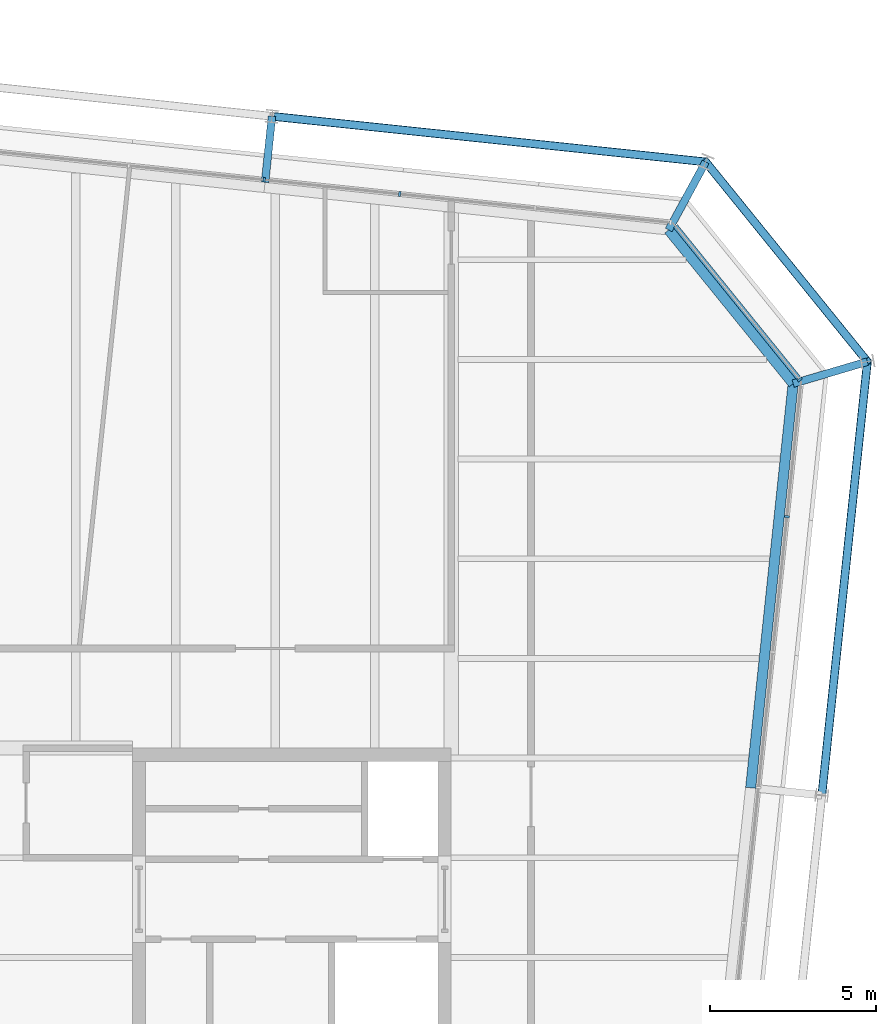
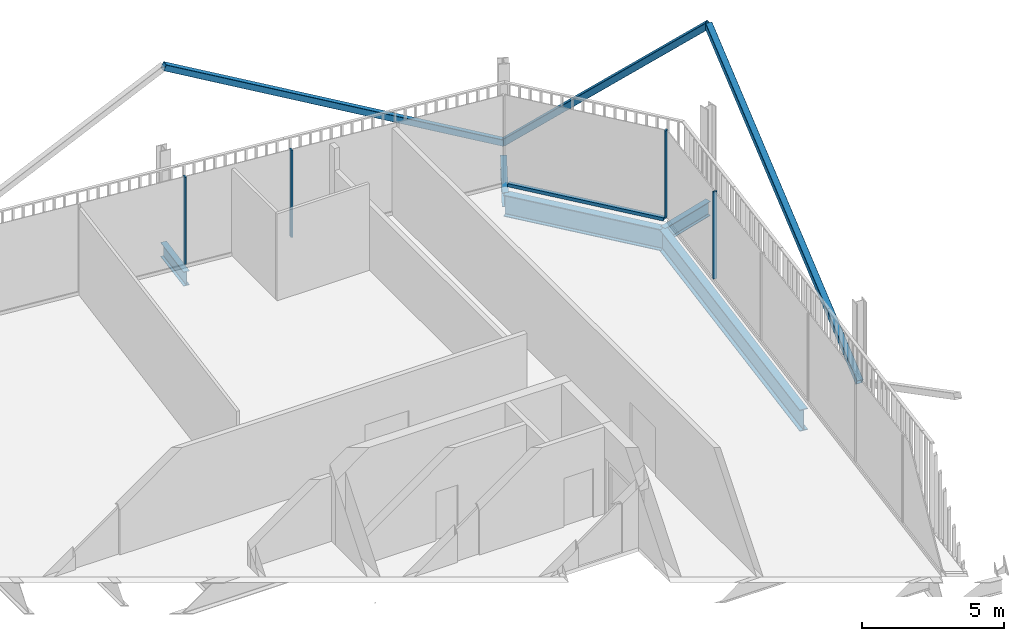
# One storey, part 15 of 21: 8 members, 5 beams, 3 elements without a shape of their own.
"""IFC4 building model written with IfcOpenShell, lengths in metres."""

from ifc_helpers import new_model, si_unit, direction, frame, origin, origin_2d, place, context, subcontext, project, spatial, rectangle, hollow_rectangle, i_section, extrude, material, layer, layer_set, material_profile, profile_set, type_object, element, aggregate, save


model = new_model("IFC4")

# Units and contexts
model_context = context("Model", 3, precision=1e-05, world=origin(), true_north=direction((0.0, 1.0)))
body_context = subcontext(model_context, "Body", "Model", "MODEL_VIEW")
ifc_project = project(units=[si_unit("LENGTHUNIT", "METRE"), si_unit("AREAUNIT", "SQUARE_METRE"), si_unit("VOLUMEUNIT", "CUBIC_METRE"), si_unit("PLANEANGLEUNIT", "RADIAN"), si_unit("MASSUNIT", "GRAM", prefix="KILO")], contexts=[model_context])

# Site, building, storey
site_placement = place(None, origin())
site = spatial("IfcSite", under=ifc_project, at=site_placement, CompositionType="ELEMENT")
building_placement = place(site_placement, origin())
building = spatial("IfcBuilding", under=site, at=building_placement, Name="Millrace Tower", CompositionType="ELEMENT")
storey_placement = place(building_placement, frame((0.0, 0.0, 299.39990234375)))
storey = spatial("IfcBuildingStorey", under=building, at=storey_placement, Name="L69", CompositionType="ELEMENT", Elevation=299.39990234375)

# Curtain wall, member
ifc_material_1 = material(Name="Aluminium and glass", Category="aluminium")
ifc_layer = layer(ifc_material_1, 0.14990234375)
ifc_layer_set = layer_set([ifc_layer], Name="Aluminium and glass")
curtain_wall_type = type_object("IfcCurtainWallType", Name="CW-1 office vision curtain wall", PredefinedType="NOTDEFINED", material=ifc_layer_set)
placement = place(storey_placement, origin())
curtain_wall_1 = element("IfcCurtainWall", 1, at=placement, inside=storey, type_object=curtain_wall_type, Name="Curtain wall E-F04 L69", PredefinedType="NOTDEFINED")
ifc_material_2 = material(Name="Aluminium", Category="aluminium")
ifc_material_profile_1 = material_profile(ifc_material_2, rectangle(XDim=0.06494140625, YDim=0.14990234375, at=origin_2d()))
ifc_profile_set_1 = profile_set([ifc_material_profile_1], Name="Aluminium")
member_type_1 = type_object("IfcMemberType", Name="CW-1 office vision curtain wall mullion", PredefinedType="MULLION", material=ifc_profile_set_1)
member_1_placement = place(storey_placement, frame((24.4033203125, 16.267822265625, 0.14013671875), z_axis=(0.0, 0.0, 1.0), x_axis=(0.104528455196, 0.994521896217, 0.0)))
member_1 = element("IfcMember", 2, at=member_1_placement, type_object=member_type_1, Name="CW1 mullion E-F04.9", PredefinedType="MULLION", context=body_context, shape_type="SweptSolid", body=[
    extrude(rectangle(XDim=0.06494140625, YDim=0.14990234375, at=origin_2d()), origin(), (0.0, 0.0, 1.0), 3.760009765625),
])
aggregate(curtain_wall_1, [member_1])

curtain_wall_2 = element("IfcCurtainWall", 3, at=placement, inside=storey, type_object=curtain_wall_type, Name="Curtain wall E-F05 L69", PredefinedType="NOTDEFINED")
member_2_placement = place(storey_placement, frame((24.791748046875, 20.393310546875, 0.14013671875), z_axis=(0.0, 0.0, 1.0), x_axis=(-0.629320278945, 0.777146052237, 0.0)))
member_2 = element("IfcMember", 4, at=member_2_placement, type_object=member_type_1, Name="CW1 mullion E-F05.1", PredefinedType="MULLION", context=body_context, shape_type="SweptSolid", body=[
    extrude(rectangle(XDim=0.06494140625, YDim=0.14990234375, at=origin_2d()), origin(), (0.0, 0.0, 1.0), 3.760009765625),
])

# Curtain wall, members
curtain_wall_3 = element("IfcCurtainWall", 5, at=placement, inside=storey, type_object=curtain_wall_type, Name="Curtain wall E-F06 L69", PredefinedType="NOTDEFINED")
member_3_placement = place(storey_placement, frame((12.747314453125, 25.98193359375, 0.14013671875), z_axis=(0.0, 0.0, 1.0), x_axis=(-0.994521896217, 0.104528455196, 0.0)))
member_3 = element("IfcMember", 6, at=member_3_placement, type_object=member_type_1, Name="CW1 mullion E-F06.3", PredefinedType="MULLION", context=body_context, shape_type="SweptSolid", body=[
    extrude(rectangle(XDim=0.06494140625, YDim=0.14990234375, at=origin_2d()), origin(), (0.0, 0.0, 1.0), 3.760009765625),
])
member_4_placement = place(storey_placement, frame((8.669921875, 26.410400390625, 0.14013671875), z_axis=(0.0, 0.0, 1.0), x_axis=(-0.994521896217, 0.104528455196, 0.0)))
member_4 = element("IfcMember", 7, at=member_4_placement, type_object=member_type_1, Name="CW1 mullion E-F06.4", PredefinedType="MULLION", context=body_context, shape_type="SweptSolid", body=[
    extrude(rectangle(XDim=0.06494140625, YDim=0.14990234375, at=origin_2d()), origin(), (0.0, 0.0, 1.0), 3.760009765625),
])
aggregate(curtain_wall_3, [member_3, member_4])

# Member
ifc_material_3 = material(Name="Aluminium", Category="aluminium")
ifc_material_profile_2 = material_profile(ifc_material_3, rectangle(XDim=0.14990234375, YDim=0.139892578125, at=origin_2d()))
ifc_profile_set_2 = profile_set([ifc_material_profile_2], Name="Aluminium")
member_type_2 = type_object("IfcMemberType", Name="CW-1 office vision curtain wall transom", PredefinedType="USERDEFINED", material=ifc_profile_set_2)
member_5_placement = place(storey_placement, frame((24.749267578125, 20.44580078125, 0.070068359375), z_axis=(-0.629321221277, 0.777145289151, 0.0), x_axis=(-0.777145289151, -0.629321221277, 0.0)))
member_5 = element("IfcMember", 8, at=member_5_placement, type_object=member_type_2, Name="CW1 transom E-F05.1", ObjectType="TRANSOM", PredefinedType="USERDEFINED", context=body_context, shape_type="SweptSolid", body=[
    extrude(rectangle(XDim=0.14990234375, YDim=0.139892578125, at=origin_2d()), origin(), (0.0, 0.0, 1.0), 5.881103515625),
])

aggregate(curtain_wall_2, [member_2, member_5])

# Members
ifc_material_4 = material(Name="Steel ASTM A500 Grade C", Category="steel")
ifc_material_profile_3 = material_profile(ifc_material_4, hollow_rectangle(XDim=0.25390625, YDim=0.25390625, WallThickness=0.0126953125, InnerFilletRadius=0.00634765625, OuterFilletRadius=0.01904296875, at=origin_2d()))
ifc_profile_set_3 = profile_set([ifc_material_profile_3], Name="Steel ASTM A500 Grade C")
member_type_3 = type_object("IfcMemberType", Name="Exoskeleton brace HSS10x10x1/2", PredefinedType="BRACE", material=ifc_profile_set_3)
member_6_placement = place(storey_placement, frame((25.457275390625, 7.879150390625, 0.400146484375), z_axis=(0.092236950483, 0.877571982182, 0.470488853274), x_axis=(-0.994521846076, 0.104528932251, 0.0)))
element("IfcMember", 9, at=member_6_placement, inside=storey, type_object=member_type_3, Name="BRC-E-L69-08", PredefinedType="BRACE", context=body_context, shape_type="SweptSolid", body=[
    extrude(hollow_rectangle(XDim=0.25390625, YDim=0.25390625, WallThickness=0.0126953125, InnerFilletRadius=0.00634765625, OuterFilletRadius=0.01904296875, at=origin_2d()), origin(), (0.0, 0.0, 1.0), 14.878173828125),
])
member_7_placement = place(storey_placement, frame((21.9599609375, 26.94921875, 0.400146484375), z_axis=(0.466694392708, -0.57631352586, 0.670864415308), x_axis=(0.777142728993, 0.62932438279, 0.0)))
element("IfcMember", 10, at=member_7_placement, inside=storey, type_object=member_type_3, Name="BRC-E-L69-09", PredefinedType="BRACE", context=body_context, shape_type="SweptSolid", body=[
    extrude(hollow_rectangle(XDim=0.25390625, YDim=0.25390625, WallThickness=0.0126953125, InnerFilletRadius=0.00634765625, OuterFilletRadius=0.01904296875, at=origin_2d()), origin(), (0.0, 0.0, 1.0), 10.434326171875),
])
member_8_placement = place(storey_placement, frame((21.9599609375, 26.94921875, 0.400146484375), z_axis=(-0.877571982182, 0.092236950483, 0.470488853274), x_axis=(-0.104528932251, -0.994521846076, 0.0)))
element("IfcMember", 11, at=member_8_placement, inside=storey, type_object=member_type_3, Name="BRC-E-L69-10", PredefinedType="BRACE", context=body_context, shape_type="SweptSolid", body=[
    extrude(hollow_rectangle(XDim=0.25390625, YDim=0.25390625, WallThickness=0.0126953125, InnerFilletRadius=0.00634765625, OuterFilletRadius=0.01904296875, at=origin_2d()), origin(), (0.0, 0.0, 1.0), 14.878173828125),
])

# Beams
ifc_material_5 = material(Name="Steel ASTM A992 Grade 50", Category="steel")
ifc_material_profile_4 = material_profile(ifc_material_5, i_section(OverallWidth=0.23046875, OverallDepth=0.6171875, WebThickness=0.01318359375, FlangeThickness=0.022216796875, FilletRadius=0.012939453125, at=origin_2d()))
ifc_profile_set_4 = profile_set([ifc_material_profile_4], Name="Steel ASTM A992 Grade 50")
beam_type_1 = type_object("IfcBeamType", Name="Link beam W24x94", PredefinedType="BEAM", material=ifc_profile_set_4)
beam_1_placement = place(storey_placement, frame((8.6943359375, 26.33251953125, -0.468505859375), z_axis=(0.104494148666, 0.99452550138, 0.0), x_axis=(-0.99452550138, 0.104494148666, 0.0)))
element("IfcBeam", 12, at=beam_1_placement, inside=storey, type_object=beam_type_1, Name="LNK-E-L69-S1-07", PredefinedType="BEAM", context=body_context, shape_type="SweptSolid", body=[
    extrude(i_section(OverallWidth=0.23046875, OverallDepth=0.6171875, WebThickness=0.01318359375, FlangeThickness=0.022216796875, FilletRadius=0.012939453125, at=origin_2d()), origin(), (0.0, 0.0, 1.0), 2.0),
])
for number, where, z_axis, x_axis, name in (
    (13, (20.84765625, 24.900634765625, -0.468505859375), (0.477163510307, 0.87881453358, 0.0), (-0.87881453358, 0.477163510307, 0.0), "LNK-E-L69-S1-08"),
    (14, (24.594482421875, 20.273681640625, -0.468505859375), (0.958815015936, 0.284031275065, 0.0), (-0.284031275065, 0.958815015936, 0.0), "LNK-E-L69-S1-09"),
):
    element("IfcBeam", number, at=place(storey_placement, frame(where, z_axis=z_axis, x_axis=x_axis)), inside=storey, type_object=beam_type_1, Name=name, PredefinedType="BEAM", context=body_context, shape_type="SweptSolid", body=[
        extrude(i_section(OverallWidth=0.23046875, OverallDepth=0.6171875, WebThickness=0.01318359375, FlangeThickness=0.022216796875, FilletRadius=0.012939453125, at=origin_2d()), origin(), (0.0, 0.0, 1.0), 2.3310546875),
    ])
ifc_material_6 = material(Name="Steel ASTM A992 Grade 50", Category="steel")
ifc_material_profile_5 = material_profile(ifc_material_6, i_section(OverallWidth=0.307373046875, OverallDepth=0.927001953125, WebThickness=0.01953125, FlangeThickness=0.031982421875, FilletRadius=0.01904296875, at=origin_2d()))
ifc_profile_set_5 = profile_set([ifc_material_profile_5], Name="Steel ASTM A992 Grade 50")
beam_type_2 = type_object("IfcBeamType", Name="Ring beam medium span W36x194", PredefinedType="SPANDREL", material=ifc_profile_set_5)
beam_2_placement = place(storey_placement, frame((24.594482421875, 20.273681640625, -0.62353515625), z_axis=(-0.104527955888, -0.994521948696, 0.0), x_axis=(0.994521948696, -0.104527955888, 0.0)))
element("IfcBeam", 15, at=beam_2_placement, inside=storey, type_object=beam_type_2, Name="RNG-E-L69-S1-09", PredefinedType="SPANDREL", context=body_context, shape_type="SweptSolid", body=[
    extrude(i_section(OverallWidth=0.307373046875, OverallDepth=0.927001953125, WebThickness=0.01953125, FlangeThickness=0.031982421875, FilletRadius=0.01904296875, at=origin_2d()), origin(), (0.0, 0.0, 1.0), 12.236572265625),
])
ifc_material_7 = material(Name="Steel ASTM A992 Grade 50", Category="steel")
ifc_material_profile_6 = material_profile(ifc_material_7, i_section(OverallWidth=0.307373046875, OverallDepth=0.927001953125, WebThickness=0.01953125, FlangeThickness=0.031982421875, FilletRadius=0.01904296875, at=origin_2d()))
ifc_profile_set_6 = profile_set([ifc_material_profile_6], Name="Steel ASTM A992 Grade 50")
beam_type_3 = type_object("IfcBeamType", Name="Ring beam short span W36x194", PredefinedType="SPANDREL", material=ifc_profile_set_6)
beam_3_placement = place(storey_placement, frame((20.84765625, 24.900634765625, -0.62353515625), z_axis=(0.629319722443, -0.777146502883, 0.0), x_axis=(0.777146502883, 0.629319722443, 0.0)))
element("IfcBeam", 16, at=beam_3_placement, inside=storey, type_object=beam_type_3, Name="RNG-E-L69-S1-08", PredefinedType="SPANDREL", context=body_context, shape_type="SweptSolid", body=[
    extrude(i_section(OverallWidth=0.307373046875, OverallDepth=0.927001953125, WebThickness=0.01953125, FlangeThickness=0.031982421875, FilletRadius=0.01904296875, at=origin_2d()), origin(), (0.0, 0.0, 1.0), 5.953857421875),
])

save(model, "model.ifc")
